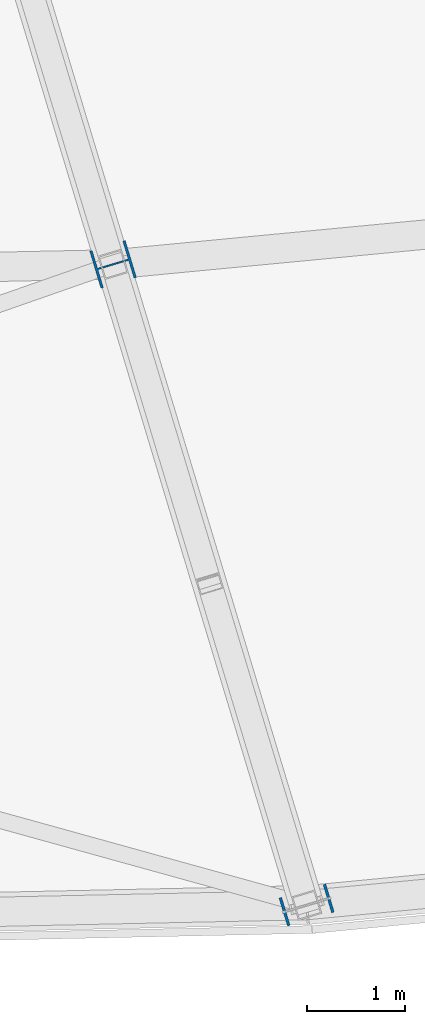
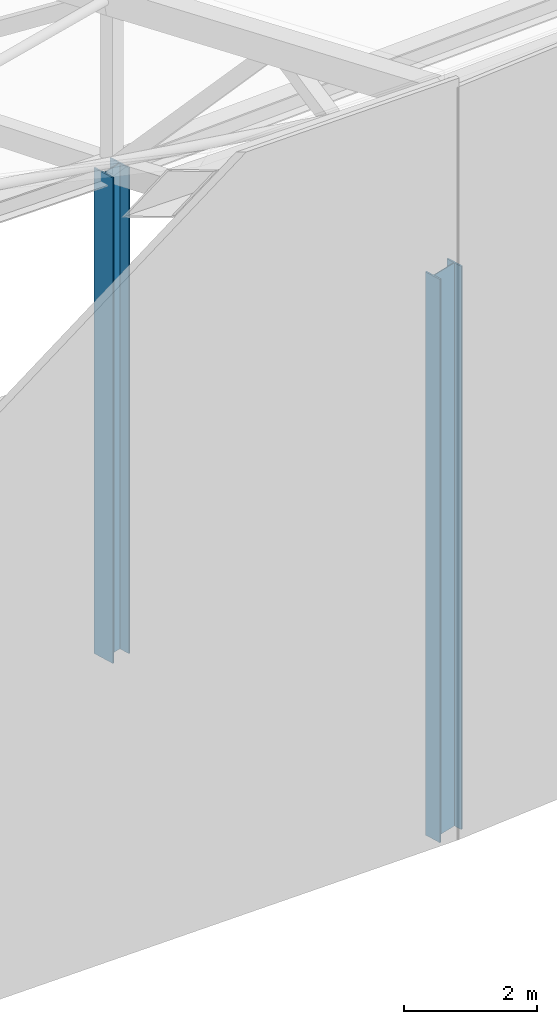
# One storey, part 5 of 143: 2 columns.
"""IFC4 building model written with IfcOpenShell, lengths in metres."""

from ifc_helpers import new_model, si_unit, direction, frame, origin, origin_2d, place, context, subcontext, project, spatial, i_section, extrude, material, material_profile, profile_set, type_object, element, save


model = new_model("IFC4")

# Units and contexts
model_context = context("Model", 3, precision=1e-05, world=origin(), true_north=direction((0.0, 1.0)))
body_context = subcontext(model_context, "Body", "Model", "MODEL_VIEW")
ifc_project = project(units=[si_unit("LENGTHUNIT", "METRE"), si_unit("AREAUNIT", "SQUARE_METRE"), si_unit("VOLUMEUNIT", "CUBIC_METRE"), si_unit("PLANEANGLEUNIT", "RADIAN"), si_unit("MASSUNIT", "GRAM", prefix="KILO")], contexts=[model_context])

# Site, building, storey
site_placement = place(None, origin())
site = spatial("IfcSite", under=ifc_project, at=site_placement, CompositionType="ELEMENT")
building_placement = place(site_placement, origin())
building = spatial("IfcBuilding", under=site, at=building_placement, Name="Mphavela Belvedere Stadium", CompositionType="ELEMENT")
storey_placement = place(building_placement, frame((0.0, 0.0, 28.800048828125)))
storey = spatial("IfcBuildingStorey", under=building, at=storey_placement, Name="RF", CompositionType="ELEMENT", Elevation=28.800048828125)

# Columns
ifc_material_1 = material(Name="Steel S355", Category="steel")
ifc_material_profile_1 = material_profile(ifc_material_1, i_section(OverallWidth=0.39501953125, OverallDepth=0.3798828125, WebThickness=0.0166015625, FlangeThickness=0.02587890625, at=origin_2d()), Name="HD 400x237")
ifc_profile_set_1 = profile_set([ifc_material_profile_1], Name="Steel S355")
column_type_1 = type_object("IfcColumnType", Name="COL-STEEL-HD400", PredefinedType="COLUMN", material=ifc_profile_set_1)
column_1_placement = place(storey_placement, frame((135.1328125, 20.365966796875, 0.0), z_axis=(0.0, 0.0, 1.0), x_axis=(0.289198876314, -0.957269037387, 0.0)))
element("IfcColumn", 1, at=column_1_placement, inside=storey, type_object=column_type_1, Name="Roof truss inner support column RF R3-38", PredefinedType="COLUMN", context=body_context, shape_type="SweptSolid", body=[
    extrude(i_section(OverallWidth=0.39501953125, OverallDepth=0.3798828125, WebThickness=0.0166015625, FlangeThickness=0.02587890625, at=origin_2d()), origin(), (0.0, 0.0, 1.0), 8.922119140625),
])
ifc_material_2 = material(Name="Steel S355", Category="steel")
ifc_material_profile_2 = material_profile(ifc_material_2, i_section(OverallWidth=0.300048828125, OverallDepth=0.5, WebThickness=0.014404296875, FlangeThickness=0.028076171875, at=origin_2d()), Name="HEB 500")
ifc_profile_set_2 = profile_set([ifc_material_profile_2], Name="Steel S355")
column_type_2 = type_object("IfcColumnType", Name="COL-STEEL-HEB500", PredefinedType="COLUMN", material=ifc_profile_set_2)
column_2_placement = place(storey_placement, frame((137.114501953125, 13.80615234375, 0.0), z_axis=(0.0, 0.0, 1.0), x_axis=(0.289198876314, -0.957269037387, 0.0)))
element("IfcColumn", 2, at=column_2_placement, inside=storey, type_object=column_type_2, Name="Roof truss outer tie-down column RF R4-38", PredefinedType="COLUMN", context=body_context, shape_type="SweptSolid", body=[
    extrude(i_section(OverallWidth=0.300048828125, OverallDepth=0.5, WebThickness=0.014404296875, FlangeThickness=0.028076171875, at=origin_2d()), origin(), (0.0, 0.0, 1.0), 10.347412109375),
])

save(model, "model.ifc")
